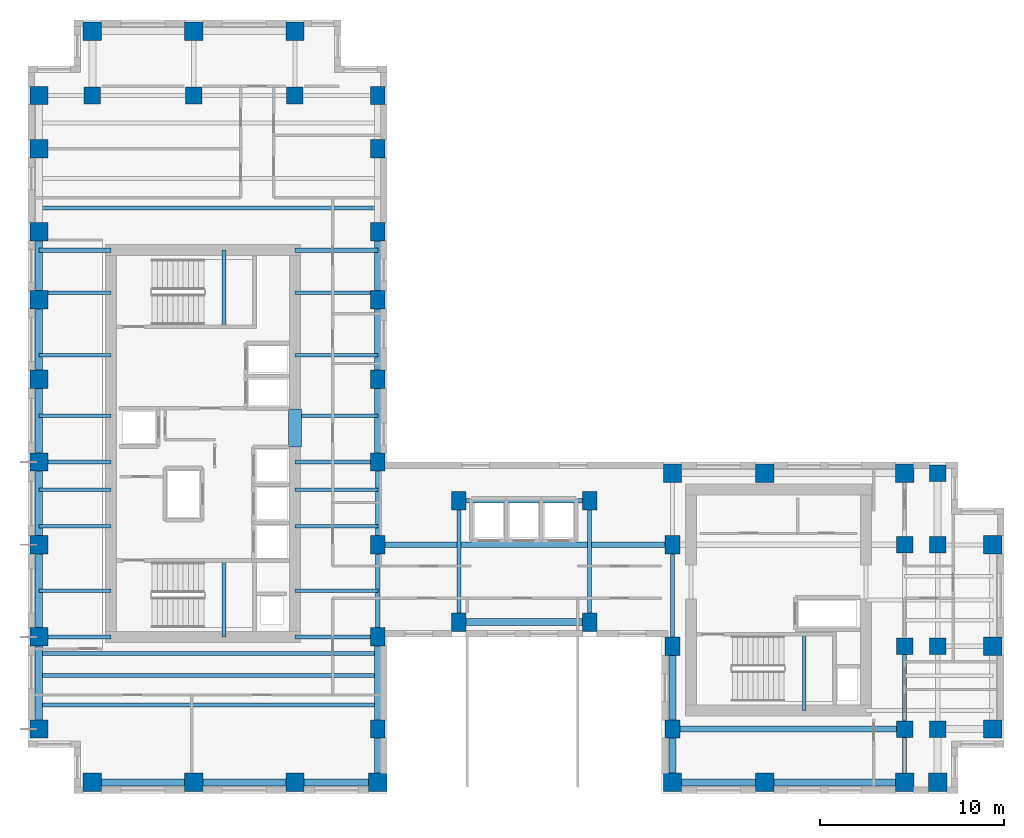
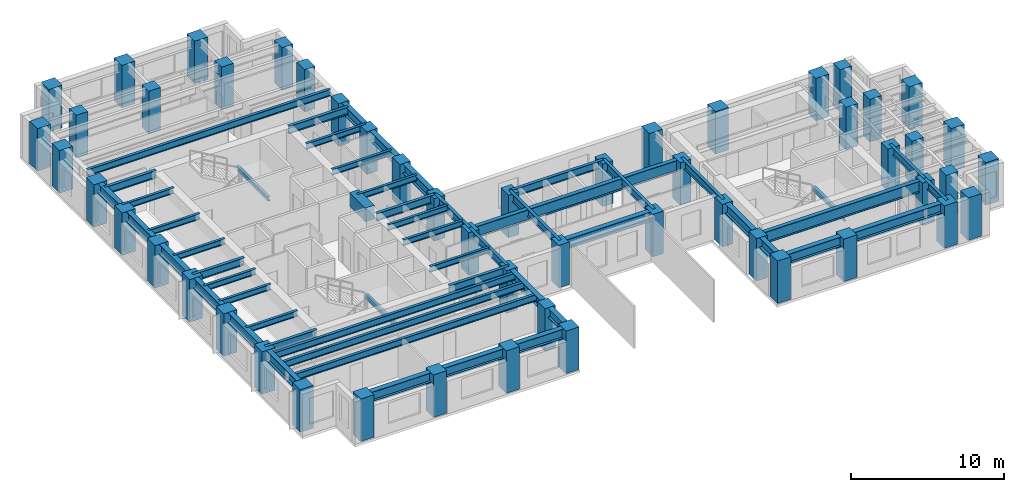
# One storey, part 1 of 11: 55 beams, 52 columns.
"""IFC4 building model written with IfcOpenShell, lengths in metres."""

import ifcopenshell
import ifcopenshell.guid

model = None  # the IFC model being written
_history = None  # IfcOwnerHistory: only IFC2X3 demands one
_inside = {}  # id of a spatial element -> (the spatial element, [elements in it])
_under = {}  # id of a project, library or spatial element -> (it, [spatial elements below it])
_declared = {}  # id of a project -> (the project, [libraries it declares])
_typed = {}  # id of a type object -> (the type object, [elements of that type])
_made_of = {}  # id of a material, layer set ... -> (it, [elements and type objects made of it])


def new_model(schema):
    """Start an empty IFC model of exactly this schema.

    Asked for "IFC4X3", IfcOpenShell would pick the latest addendum, in which some entities
    have other attributes; the version numbers below select the first issue.
    IFC2X3 requires an IfcOwnerHistory on every rooted entity: one is made here for all.
    """
    global model, _history
    if schema == "IFC4X3":
        model = ifcopenshell.file(schema_version=(4, 3, 0, 0))
    else:
        model = ifcopenshell.file(schema=schema)
    _inside.clear()
    _under.clear()
    _declared.clear()
    _typed.clear()
    _made_of.clear()
    _history = None
    if model.schema == "IFC2X3":
        org = make("IfcOrganization", Name="unknown")
        user = make(
            "IfcPersonAndOrganization",
            ThePerson=make("IfcPerson", FamilyName="unknown"),
            TheOrganization=org,
        )
        app = make(
            "IfcApplication",
            ApplicationDeveloper=org,
            Version="unknown",
            ApplicationFullName="unknown",
            ApplicationIdentifier="unknown",
        )
        _history = make(
            "IfcOwnerHistory",
            OwningUser=user,
            OwningApplication=app,
            ChangeAction="ADDED",
            CreationDate=0,
        )
    return model


def make(cls, **values):
    """One entity of the class cls with the attributes given. An attribute that is None is left unset."""
    return model.create_entity(
        cls, **{name: value for name, value in values.items() if value is not None}
    )


def rooted(cls, **values):
    """An entity with a GlobalId (a new one), such as an element, a storey or a relation."""
    return make(cls, GlobalId=ifcopenshell.guid.new(), OwnerHistory=_history, **values)


def si_unit(unit_type, name, prefix=None):
    """IfcSIUnit, for example si_unit("LENGTHUNIT", "METRE", prefix="MILLI")."""
    return make("IfcSIUnit", UnitType=unit_type, Prefix=prefix, Name=name)


def assignment(units):
    """IfcUnitAssignment: the units of a project."""
    return None if units is None else make("IfcUnitAssignment", Units=units)


def point(xyz):
    """IfcCartesianPoint."""
    return None if xyz is None else make("IfcCartesianPoint", Coordinates=xyz)


def direction(xyz):
    """IfcDirection."""
    return None if xyz is None else make("IfcDirection", DirectionRatios=xyz)


def frame(location, z_axis=None, x_axis=None):
    """IfcAxis2Placement3D, a coordinate frame: its origin and axes. An axis left out is left unset."""
    return make(
        "IfcAxis2Placement3D",
        Location=point(location),
        Axis=direction(z_axis),
        RefDirection=direction(x_axis),
    )


def frame_2d(location, x_axis=None):
    """IfcAxis2Placement2D, a coordinate frame in the plane: its origin and x axis."""
    return make(
        "IfcAxis2Placement2D", Location=point(location), RefDirection=direction(x_axis)
    )


def origin():
    """The frame at (0, 0, 0) with its axes left unset."""
    return frame((0.0, 0.0, 0.0))


def origin_2d():
    """The frame at (0, 0) in the plane with its x axis left unset."""
    return frame_2d((0.0, 0.0))


def place(relative_to, where):
    """IfcLocalPlacement: puts the frame where relative to a parent placement (None: the world)."""
    return make(
        "IfcLocalPlacement", PlacementRelTo=relative_to, RelativePlacement=where
    )


def context(
    kind, dimensions, precision=None, world=None, true_north=None, identifier=None
):
    """IfcGeometricRepresentationContext, for example the 3D "Model" context."""
    return make(
        "IfcGeometricRepresentationContext",
        ContextIdentifier=identifier,
        ContextType=kind,
        CoordinateSpaceDimension=dimensions,
        Precision=precision,
        WorldCoordinateSystem=world,
        TrueNorth=true_north,
    )


def subcontext(parent, identifier, kind, view, scale=None):
    """IfcGeometricRepresentationSubContext, for example "Body" below "Model"."""
    return make(
        "IfcGeometricRepresentationSubContext",
        ContextIdentifier=identifier,
        ContextType=kind,
        ParentContext=parent,
        TargetScale=scale,
        TargetView=view,
    )


def project(units=None, contexts=None):
    """IfcProject with its units and contexts."""
    return rooted(
        "IfcProject",
        Name="project",
        RepresentationContexts=contexts,
        UnitsInContext=assignment(units),
    )


def spatial(cls, under=None, at=None, **own):
    """A site, building, storey or space (cls), placed at a placement, below another one or the project."""
    s = rooted(cls, ObjectPlacement=at, **own)
    if under is not None:
        _under.setdefault(under.id(), (under, []))[1].append(s)
    return s


def profile(cls, at=None, kind="AREA", **sizes):
    """A parametric profile (cls). Its sizes go by their IFC names, for example OverallWidth=200.0."""
    return make(cls, ProfileType=kind, Position=at, **sizes)


def rectangle(**sizes):
    """IfcRectangleProfileDef."""
    return profile("IfcRectangleProfileDef", **sizes)


def i_section(**sizes):
    """IfcIShapeProfileDef."""
    return profile("IfcIShapeProfileDef", **sizes)


def extrude(swept, where, along, depth):
    """IfcExtrudedAreaSolid: the profile swept, set in the frame where, extruded along a direction by depth."""
    return make(
        "IfcExtrudedAreaSolid",
        SweptArea=swept,
        Position=where,
        ExtrudedDirection=direction(along),
        Depth=depth,
    )


def shape(context_of_items, identifier, shape_type, items):
    """IfcShapeRepresentation: the items that make up one representation, for example the "Body"."""
    return make(
        "IfcShapeRepresentation",
        ContextOfItems=context_of_items,
        RepresentationIdentifier=identifier,
        RepresentationType=shape_type,
        Items=items,
    )


def source(mapping_origin, context_of_items, identifier, shape_type, items):
    """IfcRepresentationMap: a shape defined once, which mapped items show again and again."""
    return make(
        "IfcRepresentationMap",
        MappingOrigin=mapping_origin,
        MappedRepresentation=shape(context_of_items, identifier, shape_type, items),
    )


def transform(
    local_origin,
    x_axis=None,
    y_axis=None,
    z_axis=None,
    scale=None,
    scale2=None,
    scale3=None,
    uniform=True,
):
    """IfcCartesianTransformationOperator3D, or its non-uniform kind. x_axis, y_axis, z_axis: its Axis1, 2, 3."""
    if uniform:
        return make(
            "IfcCartesianTransformationOperator3D",
            Axis1=direction(x_axis),
            Axis2=direction(y_axis),
            LocalOrigin=point(local_origin),
            Scale=scale,
            Axis3=direction(z_axis),
        )
    return make(
        "IfcCartesianTransformationOperator3DnonUniform",
        Axis1=direction(x_axis),
        Axis2=direction(y_axis),
        LocalOrigin=point(local_origin),
        Scale=scale,
        Axis3=direction(z_axis),
        Scale2=scale2,
        Scale3=scale3,
    )


def mapped(mapping_source, mapping_target):
    """IfcMappedItem: shows the shape of a source again, moved by a transform."""
    return make(
        "IfcMappedItem", MappingSource=mapping_source, MappingTarget=mapping_target
    )


def material(Name=None, Category=None):
    """IfcMaterial."""
    return make("IfcMaterial", Name=Name, Category=Category)


def material_profile(
    of_material, cross_section, Name=None, Category=None, Priority=None
):
    """IfcMaterialProfile: a cross section and its material."""
    return make(
        "IfcMaterialProfile",
        Name=Name,
        Material=of_material,
        Profile=cross_section,
        Priority=Priority,
        Category=Category,
    )


def profile_set(profiles, Name=None, composite=None):
    """IfcMaterialProfileSet."""
    return make(
        "IfcMaterialProfileSet",
        Name=Name,
        MaterialProfiles=profiles,
        CompositeProfile=composite,
    )


def made_of(thing, what):
    """Note that an element or type object is made of a material, layer set ...; save() writes the relation."""
    if what is not None:
        _made_of.setdefault(what.id(), (what, []))[1].append(thing)
    return thing


def type_object(cls, material=None, **own):
    """A type object (cls), such as IfcWallType, which elements share."""
    return made_of(rooted(cls, **own), material)


def element(
    cls,
    number,
    at=None,
    inside=None,
    cuts=None,
    type_object=None,
    material=None,
    context=None,
    identifier="Body",
    shape_type=None,
    held_by="IfcProductDefinitionShape",
    body=None,
    shapes=None,
    **own,
):
    """One element of the class cls, such as IfcWall. Its Tag is "e" and its number.

    at: its placement. inside: the storey or other place that contains it. cuts: it is an
    opening in that element (IfcRelVoidsElement). A single representation is given by context,
    identifier, shape_type and body (its items); several are given by shapes. held_by: the class
    of the entity that holds the representations. save() writes the other relations.
    """
    e = rooted(cls, Tag="e%d" % number, ObjectPlacement=at, **own)
    if body is not None:
        shapes = [shape(context, identifier, shape_type, body)]
    if shapes is not None:
        e.Representation = make(held_by, Representations=shapes)
    if inside is not None:
        _inside.setdefault(inside.id(), (inside, []))[1].append(e)
    if cuts is not None:
        rooted(
            "IfcRelVoidsElement", RelatingBuildingElement=cuts, RelatedOpeningElement=e
        )
    if type_object is not None:
        _typed.setdefault(type_object.id(), (type_object, []))[1].append(e)
    return made_of(e, material)


def aggregate(whole, parts):
    """IfcRelAggregates: a whole, such as a stair, and the parts it consists of."""
    return rooted("IfcRelAggregates", RelatingObject=whole, RelatedObjects=parts)


def save(model, path):
    """Write the relations noted so far, then the file.

    IfcRelAggregates (storeys below a building ...), IfcRelContainedInSpatialStructure (elements
    in a storey), IfcRelDefinesByType, IfcRelAssociatesMaterial and IfcRelDeclares: one each for
    every whole, place, type object, material and project.
    """
    for whole, parts in _under.values():
        aggregate(whole, parts)
    for where, things in _inside.values():
        rooted(
            "IfcRelContainedInSpatialStructure",
            RelatedElements=things,
            RelatingStructure=where,
        )
    for kind, things in _typed.values():
        rooted("IfcRelDefinesByType", RelatedObjects=things, RelatingType=kind)
    for what, things in _made_of.values():
        rooted("IfcRelAssociatesMaterial", RelatedObjects=things, RelatingMaterial=what)
    for by, libraries in _declared.values():
        rooted("IfcRelDeclares", RelatingContext=by, RelatedDefinitions=libraries)
    model.write(path)


model = new_model("IFC4")

# Units and contexts
model_context = context("Model", 3, precision=1e-05, world=origin(), true_north=direction((0.0, 1.0)))
body_context = subcontext(model_context, "Body", "Model", "MODEL_VIEW")
ifc_project = project(units=[si_unit("LENGTHUNIT", "METRE"), si_unit("AREAUNIT", "SQUARE_METRE"), si_unit("VOLUMEUNIT", "CUBIC_METRE"), si_unit("PLANEANGLEUNIT", "RADIAN"), si_unit("MASSUNIT", "GRAM", prefix="KILO")], contexts=[model_context])

# Site, building, storey
site_placement = place(None, origin())
site = spatial("IfcSite", under=ifc_project, at=site_placement, CompositionType="ELEMENT")
building_placement = place(site_placement, origin())
building = spatial("IfcBuilding", under=site, at=building_placement, Name="Kharzan Plaza Tower", CompositionType="ELEMENT")
storey_placement = place(building_placement, frame((0.0, 0.0, 186.300048828125)))
storey = spatial("IfcBuildingStorey", under=building, at=storey_placement, Name="L50", CompositionType="ELEMENT", Elevation=186.300048828125)

# Columns
ifc_material_1 = material(Name="Concrete C50/60", Category="concrete")
ifc_material_profile_1 = material_profile(ifc_material_1, rectangle(XDim=0.89990234375, YDim=0.89990234375, at=origin_2d()), Name="RC-IC900x900")
ifc_profile_set_1 = profile_set([ifc_material_profile_1], Name="Concrete C50/60")
column_type_1 = type_object("IfcColumnType", Name="COL-IC900", PredefinedType="COLUMN", material=ifc_profile_set_1)
shared_shape_1 = source(origin(), body_context, "Body", "SweptSolid", [
    extrude(rectangle(XDim=0.89990234375, YDim=0.89990234375, at=origin_2d()), origin(), (0.0, 0.0, 1.0), 3.39990234375),
])
for number, where, z_axis, x_axis, name in (
    (1, (47.60009765625, 13.5, 0.0), (0.0, 0.0, 1.0), (1.0, 0.0, 0.0), "L50 Structural Column TCBI-135"),
    (2, (47.60009765625, 3.5, 0.0), (0.0, 0.0, 1.0), (1.0, 0.0, 0.0), "L50 Structural Column TCBI-35"),
    (3, (47.60009765625, 8.0, 0.0), (0.0, 0.0, 1.0), (1.0, 0.0, 0.0), "L50 Structural Column TCBI-80"),
    (4, (49.39990234375, 13.5, 0.0), (0.0, 0.0, 1.0), (1.0, 0.0, 0.0), "L50 Structural Column TCE-494-135"),
    (5, (49.39990234375, 17.39990234375, 0.0), (0.0, 0.0, 1.0), (1.0, 0.0, 0.0), "L50 Structural Column TCE-494-174"),
    (6, (49.39990234375, 3.5, 0.0), (0.0, 0.0, 1.0), (1.0, 0.0, 0.0), "L50 Structural Column TCE-494-35"),
    (7, (49.39990234375, 8.0, 0.0), (0.0, 0.0, 1.0), (1.0, 0.0, 0.0), "L50 Structural Column TCE-494-80"),
    (8, (14.5, 37.89990234375, 0.0), (0.0, 0.0, 1.0), (1.0, 0.0, 0.0), "L50 Structural Column TCN-145-379"),
    (9, (3.5, 37.89990234375, 0.0), (0.0, 0.0, 1.0), (1.0, 0.0, 0.0), "L50 Structural Column TCN-35-379"),
    (10, (9.0, 37.89990234375, 0.0), (0.0, 0.0, 1.0), (1.0, 0.0, 0.0), "L50 Structural Column TCN-90-379"),
):
    element("IfcColumn", number, at=place(storey_placement, frame(where, z_axis=z_axis, x_axis=x_axis)), inside=storey, type_object=column_type_1, Name=name, PredefinedType="COLUMN", context=body_context, shape_type="MappedRepresentation", body=[
        mapped(shared_shape_1, transform((0.0, 0.0, 0.0), x_axis=(1.0, 0.0, 0.0), y_axis=(0.0, 1.0, 0.0), z_axis=(0.0, 0.0, 1.0))),
    ])
ifc_material_profile_2 = material_profile(ifc_material_1, rectangle(XDim=0.800048828125, YDim=1.0, at=origin_2d()), Name="RC-SC1000x800")
ifc_profile_set_2 = profile_set([ifc_material_profile_2], Name="Concrete C50/60")
column_type_2 = type_object("IfcColumnType", Name="COL-SC1000", PredefinedType="COLUMN", material=ifc_profile_set_2)
shared_shape_2 = source(origin(), body_context, "Body", "SweptSolid", [
    extrude(rectangle(XDim=0.800048828125, YDim=1.0, at=origin_2d()), origin(), (0.0, 0.0, 1.0), 3.39990234375),
])
for number, where, z_axis, x_axis, name in (
    (11, (19.0, 13.5, 0.0), (0.0, 0.0, 1.0), (1.0, 0.0, 0.0), "L50 Structural Column TCA-135"),
    (12, (19.0, 18.0, 0.0), (0.0, 0.0, 1.0), (1.0, 0.0, 0.0), "L50 Structural Column TCA-180"),
    (13, (19.0, 22.5, 0.0), (0.0, 0.0, 1.0), (1.0, 0.0, 0.0), "L50 Structural Column TCA-225"),
    (14, (19.0, 26.800048828125, 0.0), (0.0, 0.0, 1.0), (1.0, 0.0, 0.0), "L50 Structural Column TCA-268"),
    (15, (19.0, 30.5, 0.0), (0.0, 0.0, 1.0), (1.0, 0.0, 0.0), "L50 Structural Column TCA-305"),
    (16, (19.0, 3.5, 0.0), (0.0, 0.0, 1.0), (1.0, 0.0, 0.0), "L50 Structural Column TCA-35"),
    (17, (19.0, 35.0, 0.0), (0.0, 0.0, 1.0), (1.0, 0.0, 0.0), "L50 Structural Column TCA-350"),
    (18, (19.0, 37.89990234375, 0.0), (0.0, 0.0, 1.0), (1.0, 0.0, 0.0), "L50 Structural Column TCA-379"),
    (19, (19.0, 8.5, 0.0), (0.0, 0.0, 1.0), (1.0, 0.0, 0.0), "L50 Structural Column TCA-85"),
    (20, (35.0, 13.5, 0.0), (0.0, 0.0, 1.0), (1.0, 0.0, 0.0), "L50 Structural Column TCBS-135"),
    (21, (35.0, 3.5, 0.0), (0.0, 0.0, 1.0), (1.0, 0.0, 0.0), "L50 Structural Column TCBS-35"),
    (22, (35.0, 8.0, 0.0), (0.0, 0.0, 1.0), (1.0, 0.0, 0.0), "L50 Structural Column TCBS-80"),
    (23, (23.39990234375, 15.89990234375, 0.0), (0.0, 0.0, 1.0), (1.0, 0.0, 0.0), "L50 Structural Column TCSP-234-159"),
    (24, (23.39990234375, 9.300048828125, 0.0), (0.0, 0.0, 1.0), (1.0, 0.0, 0.0), "L50 Structural Column TCSP-234-93"),
    (25, (30.5, 15.89990234375, 0.0), (0.0, 0.0, 1.0), (1.0, 0.0, 0.0), "L50 Structural Column TCSP-305-159"),
    (26, (30.5, 9.300048828125, 0.0), (0.0, 0.0, 1.0), (1.0, 0.0, 0.0), "L50 Structural Column TCSP-305-93"),
):
    element("IfcColumn", number, at=place(storey_placement, frame(where, z_axis=z_axis, x_axis=x_axis)), inside=storey, type_object=column_type_2, Name=name, PredefinedType="COLUMN", context=body_context, shape_type="MappedRepresentation", body=[
        mapped(shared_shape_2, transform((0.0, 0.0, 0.0), x_axis=(1.0, 0.0, 0.0), y_axis=(0.0, 1.0, 0.0), z_axis=(0.0, 0.0, 1.0))),
    ])
ifc_material_profile_3 = material_profile(ifc_material_1, rectangle(XDim=1.0, YDim=1.0, at=origin_2d()), Name="RC-TC1000x1000")
ifc_profile_set_3 = profile_set([ifc_material_profile_3], Name="Concrete C50/60")
column_type_3 = type_object("IfcColumnType", Name="COL-TC1000", PredefinedType="COLUMN", material=ifc_profile_set_3)
shared_shape_3 = source(origin(), body_context, "Body", "SweptSolid", [
    extrude(rectangle(XDim=1.0, YDim=1.0, at=origin_2d()), origin(), (0.0, 0.0, 1.0), 3.39990234375),
])
for number, where, z_axis, x_axis, name in (
    (27, (35.0, 17.39990234375, 0.0), (0.0, 0.0, 1.0), (1.0, 0.0, 0.0), "L50 Structural Column TCBN-350-174"),
    (28, (40.0, 17.39990234375, 0.0), (0.0, 0.0, 1.0), (1.0, 0.0, 0.0), "L50 Structural Column TCBN-400-174"),
    (29, (47.60009765625, 17.39990234375, 0.0), (0.0, 0.0, 1.0), (1.0, 0.0, 0.0), "L50 Structural Column TCBN-476-174"),
    (30, (52.39990234375, 13.5, 0.0), (0.0, 0.0, 1.0), (1.0, 0.0, 0.0), "L50 Structural Column TCE-524-135"),
    (31, (52.39990234375, 3.5, 0.0), (0.0, 0.0, 1.0), (1.0, 0.0, 0.0), "L50 Structural Column TCE-524-35"),
    (32, (52.39990234375, 8.0, 0.0), (0.0, 0.0, 1.0), (1.0, 0.0, 0.0), "L50 Structural Column TCE-524-80"),
    (33, (14.5, 41.39990234375, 0.0), (0.0, 0.0, 1.0), (1.0, 0.0, 0.0), "L50 Structural Column TCN-145-414"),
    (34, (3.5, 41.39990234375, 0.0), (0.0, 0.0, 1.0), (1.0, 0.0, 0.0), "L50 Structural Column TCN-35-414"),
    (35, (9.0, 41.39990234375, 0.0), (0.0, 0.0, 1.0), (1.0, 0.0, 0.0), "L50 Structural Column TCN-90-414"),
    (36, (14.5, 0.60009765625, 0.0), (0.0, 0.0, 1.0), (1.0, 0.0, 0.0), "L50 Structural Column TCS-145"),
    (37, (19.0, 0.60009765625, 0.0), (0.0, 0.0, 1.0), (1.0, 0.0, 0.0), "L50 Structural Column TCS-190"),
    (38, (3.5, 0.60009765625, 0.0), (0.0, 0.0, 1.0), (1.0, 0.0, 0.0), "L50 Structural Column TCS-35"),
    (39, (35.0, 0.60009765625, 0.0), (0.0, 0.0, 1.0), (1.0, 0.0, 0.0), "L50 Structural Column TCS-350"),
    (40, (40.0, 0.60009765625, 0.0), (0.0, 0.0, 1.0), (1.0, 0.0, 0.0), "L50 Structural Column TCS-400"),
    (41, (47.60009765625, 0.60009765625, 0.0), (0.0, 0.0, 1.0), (1.0, 0.0, 0.0), "L50 Structural Column TCS-476"),
    (42, (49.39990234375, 0.60009765625, 0.0), (0.0, 0.0, 1.0), (1.0, 0.0, 0.0), "L50 Structural Column TCS-494"),
    (43, (9.0, 0.60009765625, 0.0), (0.0, 0.0, 1.0), (1.0, 0.0, 0.0), "L50 Structural Column TCS-90"),
    (44, (0.60009765625, 13.5, 0.0), (0.0, 0.0, 1.0), (1.0, 0.0, 0.0), "L50 Structural Column TCW-135"),
    (45, (0.60009765625, 18.0, 0.0), (0.0, 0.0, 1.0), (1.0, 0.0, 0.0), "L50 Structural Column TCW-180"),
    (46, (0.60009765625, 22.5, 0.0), (0.0, 0.0, 1.0), (1.0, 0.0, 0.0), "L50 Structural Column TCW-225"),
    (47, (0.60009765625, 26.800048828125, 0.0), (0.0, 0.0, 1.0), (1.0, 0.0, 0.0), "L50 Structural Column TCW-268"),
    (48, (0.60009765625, 30.5, 0.0), (0.0, 0.0, 1.0), (1.0, 0.0, 0.0), "L50 Structural Column TCW-305"),
    (49, (0.60009765625, 3.5, 0.0), (0.0, 0.0, 1.0), (1.0, 0.0, 0.0), "L50 Structural Column TCW-35"),
    (50, (0.60009765625, 35.0, 0.0), (0.0, 0.0, 1.0), (1.0, 0.0, 0.0), "L50 Structural Column TCW-350"),
    (51, (0.60009765625, 37.89990234375, 0.0), (0.0, 0.0, 1.0), (1.0, 0.0, 0.0), "L50 Structural Column TCW-379"),
    (52, (0.60009765625, 8.5, 0.0), (0.0, 0.0, 1.0), (1.0, 0.0, 0.0), "L50 Structural Column TCW-85"),
):
    element("IfcColumn", number, at=place(storey_placement, frame(where, z_axis=z_axis, x_axis=x_axis)), inside=storey, type_object=column_type_3, Name=name, PredefinedType="COLUMN", context=body_context, shape_type="MappedRepresentation", body=[
        mapped(shared_shape_3, transform((0.0, 0.0, 0.0), x_axis=(1.0, 0.0, 0.0), y_axis=(0.0, 1.0, 0.0), z_axis=(0.0, 0.0, 1.0))),
    ])

# Beams
ifc_material_2 = material(Name="Concrete C60/75", Category="concrete")
ifc_material_profile_4 = material_profile(ifc_material_2, rectangle(XDim=0.699951171875, YDim=1.10009765625, at=origin_2d()), Name="RC-CB1100x700")
ifc_profile_set_4 = profile_set([ifc_material_profile_4], Name="Concrete C60/75")
beam_type_1 = type_object("IfcBeamType", Name="BM-RCCB1100", PredefinedType="LINTEL", material=ifc_profile_set_4)
shared_shape_4 = source(origin(), body_context, "Body", "SweptSolid", [
    extrude(rectangle(XDim=0.699951171875, YDim=1.10009765625, at=origin_2d()), origin(), (0.0, 0.0, 1.0), 2.059814453125),
])
beam_1_placement = place(storey_placement, frame((14.5, 18.820068359375, 2.849853515625), z_axis=(0.0, 1.0, 0.0), x_axis=(-1.0, 0.0, 0.0)))
element("IfcBeam", 53, at=beam_1_placement, inside=storey, type_object=beam_type_1, Name="L50 CORE-A RC coupling beam CB1", PredefinedType="LINTEL", context=body_context, shape_type="MappedRepresentation", body=[
    mapped(shared_shape_4, transform((0.0, 0.0, 0.0), x_axis=(1.0, 0.0, 0.0), y_axis=(0.0, 1.0, 0.0), z_axis=(0.0, 0.0, 1.0))),
])
ifc_material_3 = material(Name="Steel S355", Category="steel")
ifc_material_profile_5 = material_profile(ifc_material_3, i_section(OverallWidth=0.205078125, OverallDepth=0.35400390625, WebThickness=0.009521484375, FlangeThickness=0.016845703125, at=origin_2d()), Name="W360x79")
ifc_profile_set_5 = profile_set([ifc_material_profile_5], Name="Steel S355")
beam_type_2 = type_object("IfcBeamType", Name="BM-LNT360", PredefinedType="LINTEL", material=ifc_profile_set_5)
shared_shape_5 = source(origin(), body_context, "Body", "SweptSolid", [
    extrude(i_section(OverallWidth=0.205078125, OverallDepth=0.35400390625, WebThickness=0.009521484375, FlangeThickness=0.016845703125, at=origin_2d()), origin(), (0.0, 0.0, 1.0), 4.155029296875),
])
for number, where, z_axis, x_axis, name in (
    (54, (10.64990234375, 8.5, 1.4228515625), (0.0, 1.0, 0.0), (-1.0, 0.0, 0.0), "L50 Stair ST-1 Half-Landing Beam"),
    (55, (10.64990234375, 25.344970703125, 1.4228515625), (0.0, 1.0, 0.0), (-1.0, 0.0, 0.0), "L50 Stair ST-2 Half-Landing Beam"),
    (56, (42.14990234375, 4.5, 1.4228515625), (0.0, 1.0, 0.0), (-1.0, 0.0, 0.0), "L50 Stair ST-3 Half-Landing Beam"),
):
    element("IfcBeam", number, at=place(storey_placement, frame(where, z_axis=z_axis, x_axis=x_axis)), inside=storey, type_object=beam_type_2, Name=name, PredefinedType="LINTEL", context=body_context, shape_type="MappedRepresentation", body=[
        mapped(shared_shape_5, transform((0.0, 0.0, 0.0), x_axis=(1.0, 0.0, 0.0), y_axis=(0.0, 1.0, 0.0), z_axis=(0.0, 0.0, 1.0))),
    ])
ifc_material_profile_6 = material_profile(ifc_material_3, i_section(OverallWidth=0.304931640625, OverallDepth=0.9189453125, WebThickness=0.017333984375, FlangeThickness=0.02783203125, at=origin_2d()), Name="W920x253")
ifc_profile_set_6 = profile_set([ifc_material_profile_6], Name="Steel S355")
beam_type_3 = type_object("IfcBeamType", Name="BM-FG920B", PredefinedType="BEAM", material=ifc_profile_set_6)
shared_shape_6 = source(origin(), body_context, "Body", "SweptSolid", [
    extrude(i_section(OverallWidth=0.304931640625, OverallDepth=0.9189453125, WebThickness=0.017333984375, FlangeThickness=0.02783203125, at=origin_2d()), origin(), (0.0, 0.0, 1.0), 12.60009765625),
])
beam_2_placement = place(storey_placement, frame((35.0, 3.5, 2.9404296875), z_axis=(1.0, 0.0, 0.0), x_axis=(0.0, 1.0, 0.0)))
element("IfcBeam", 57, at=beam_2_placement, inside=storey, type_object=beam_type_3, Name="L50 Primary Floor Girder", PredefinedType="BEAM", context=body_context, shape_type="MappedRepresentation", body=[
    mapped(shared_shape_6, transform((0.0, 0.0, 0.0), x_axis=(1.0, 0.0, 0.0), y_axis=(0.0, 1.0, 0.0), z_axis=(0.0, 0.0, 1.0))),
])
shared_shape_7 = source(origin(), body_context, "Body", "SweptSolid", [
    extrude(i_section(OverallWidth=0.304931640625, OverallDepth=0.9189453125, WebThickness=0.017333984375, FlangeThickness=0.02783203125, at=origin_2d()), origin(), (0.0, 0.0, 1.0), 16.0),
])
beam_3_placement = place(storey_placement, frame((19.0, 13.5, 2.9404296875), z_axis=(1.0, 0.0, 0.0), x_axis=(0.0, 1.0, 0.0)))
element("IfcBeam", 58, at=beam_3_placement, inside=storey, type_object=beam_type_3, Name="L50 Primary Floor Girder", PredefinedType="BEAM", context=body_context, shape_type="MappedRepresentation", body=[
    mapped(shared_shape_7, transform((0.0, 0.0, 0.0), x_axis=(1.0, 0.0, 0.0), y_axis=(0.0, 1.0, 0.0), z_axis=(0.0, 0.0, 1.0))),
])
ifc_material_profile_7 = material_profile(ifc_material_3, i_section(OverallWidth=0.2099609375, OverallDepth=0.537109375, WebThickness=0.010986328125, FlangeThickness=0.017333984375, at=origin_2d()), Name="W530x101")
ifc_profile_set_7 = profile_set([ifc_material_profile_7], Name="Steel S355")
beam_type_4 = type_object("IfcBeamType", Name="BM-JST530B", PredefinedType="JOIST", material=ifc_profile_set_7)
shared_shape_8 = source(origin(), body_context, "Body", "SweptSolid", [
    extrude(i_section(OverallWidth=0.2099609375, OverallDepth=0.537109375, WebThickness=0.010986328125, FlangeThickness=0.017333984375, at=origin_2d()), origin(), (0.0, 0.0, 1.0), 18.39990234375),
])
for number, where, z_axis, x_axis, name in (
    (59, (0.60009765625, 4.800048828125, 3.13134765625), (1.0, 0.0, 0.0), (0.0, 1.0, 0.0), "L50 Wing A Composite Joist 01"),
    (60, (0.60009765625, 6.39990234375, 3.13134765625), (1.0, 0.0, 0.0), (0.0, 1.0, 0.0), "L50 Wing A Composite Joist 02"),
    (61, (0.60009765625, 7.60009765625, 3.13134765625), (1.0, 0.0, 0.0), (0.0, 1.0, 0.0), "L50 Wing A Composite Joist 03"),
    (62, (0.60009765625, 31.800048828125, 3.13134765625), (1.0, 0.0, 0.0), (0.0, 1.0, 0.0), "L50 Wing A Composite Joist 04"),
):
    element("IfcBeam", number, at=place(storey_placement, frame(where, z_axis=z_axis, x_axis=x_axis)), inside=storey, type_object=beam_type_4, Name=name, PredefinedType="JOIST", context=body_context, shape_type="MappedRepresentation", body=[
        mapped(shared_shape_8, transform((0.0, 0.0, 0.0), x_axis=(1.0, 0.0, 0.0), y_axis=(0.0, 1.0, 0.0), z_axis=(0.0, 0.0, 1.0))),
    ])
ifc_material_profile_8 = material_profile(ifc_material_3, i_section(OverallWidth=0.194091796875, OverallDepth=0.468994140625, WebThickness=0.011474609375, FlangeThickness=0.0205078125, at=origin_2d()), Name="W460x106")
ifc_profile_set_8 = profile_set([ifc_material_profile_8], Name="Steel S355")
beam_type_5 = type_object("IfcBeamType", Name="BM-JST460", PredefinedType="JOIST", material=ifc_profile_set_8)
shared_shape_9 = source(origin(), body_context, "Body", "SweptSolid", [
    extrude(i_section(OverallWidth=0.194091796875, OverallDepth=0.468994140625, WebThickness=0.011474609375, FlangeThickness=0.0205078125, at=origin_2d()), origin(), (0.0, 0.0, 1.0), 4.5),
])
for number, where, z_axis, x_axis, name in (
    (63, (14.5, 11.0, 3.16552734375), (1.0, 0.0, 0.0), (0.0, 1.0, 0.0), "L50 Wing A East Infill Joist 1"),
    (64, (14.5, 14.5, 3.16552734375), (1.0, 0.0, 0.0), (0.0, 1.0, 0.0), "L50 Wing A East Infill Joist 2"),
    (65, (14.5, 16.5, 3.16552734375), (1.0, 0.0, 0.0), (0.0, 1.0, 0.0), "L50 Wing A East Infill Joist 3"),
    (66, (14.5, 20.5, 3.16552734375), (1.0, 0.0, 0.0), (0.0, 1.0, 0.0), "L50 Wing A East Infill Joist 4"),
    (67, (14.5, 23.800048828125, 3.16552734375), (1.0, 0.0, 0.0), (0.0, 1.0, 0.0), "L50 Wing A East Infill Joist 5"),
    (68, (14.5, 27.199951171875, 3.16552734375), (1.0, 0.0, 0.0), (0.0, 1.0, 0.0), "L50 Wing A East Infill Joist 6"),
):
    element("IfcBeam", number, at=place(storey_placement, frame(where, z_axis=z_axis, x_axis=x_axis)), inside=storey, type_object=beam_type_5, Name=name, PredefinedType="JOIST", context=body_context, shape_type="MappedRepresentation", body=[
        mapped(shared_shape_9, transform((0.0, 0.0, 0.0), x_axis=(1.0, 0.0, 0.0), y_axis=(0.0, 1.0, 0.0), z_axis=(0.0, 0.0, 1.0))),
    ])
shared_shape_10 = source(origin(), body_context, "Body", "SweptSolid", [
    extrude(i_section(OverallWidth=0.194091796875, OverallDepth=0.468994140625, WebThickness=0.011474609375, FlangeThickness=0.0205078125, at=origin_2d()), origin(), (0.0, 0.0, 1.0), 3.89990234375),
])
for number, where, z_axis, x_axis, name in (
    (69, (0.60009765625, 11.0, 3.16552734375), (1.0, 0.0, 0.0), (0.0, 1.0, 0.0), "L50 Wing A West Infill Joist 1"),
    (70, (0.60009765625, 14.5, 3.16552734375), (1.0, 0.0, 0.0), (0.0, 1.0, 0.0), "L50 Wing A West Infill Joist 2"),
    (71, (0.60009765625, 16.5, 3.16552734375), (1.0, 0.0, 0.0), (0.0, 1.0, 0.0), "L50 Wing A West Infill Joist 3"),
    (72, (0.60009765625, 20.5, 3.16552734375), (1.0, 0.0, 0.0), (0.0, 1.0, 0.0), "L50 Wing A West Infill Joist 4"),
    (73, (0.60009765625, 23.800048828125, 3.16552734375), (1.0, 0.0, 0.0), (0.0, 1.0, 0.0), "L50 Wing A West Infill Joist 5"),
    (74, (0.60009765625, 27.199951171875, 3.16552734375), (1.0, 0.0, 0.0), (0.0, 1.0, 0.0), "L50 Wing A West Infill Joist 6"),
):
    element("IfcBeam", number, at=place(storey_placement, frame(where, z_axis=z_axis, x_axis=x_axis)), inside=storey, type_object=beam_type_5, Name=name, PredefinedType="JOIST", context=body_context, shape_type="MappedRepresentation", body=[
        mapped(shared_shape_10, transform((0.0, 0.0, 0.0), x_axis=(1.0, 0.0, 0.0), y_axis=(0.0, 1.0, 0.0), z_axis=(0.0, 0.0, 1.0))),
    ])
ifc_material_profile_9 = material_profile(ifc_material_3, i_section(OverallWidth=0.22900390625, OverallDepth=0.612060546875, WebThickness=0.011962890625, FlangeThickness=0.01953125, at=origin_2d()), Name="W610x125")
ifc_profile_set_9 = profile_set([ifc_material_profile_9], Name="Steel S355")
beam_type_6 = type_object("IfcBeamType", Name="BM-FG610B", PredefinedType="BEAM", material=ifc_profile_set_9)
shared_shape_11 = source(origin(), body_context, "Body", "SweptSolid", [
    extrude(i_section(OverallWidth=0.22900390625, OverallDepth=0.612060546875, WebThickness=0.011962890625, FlangeThickness=0.01953125, at=origin_2d()), origin(), (0.0, 0.0, 1.0), 4.5),
])
for number, where, z_axis, x_axis, name in (
    (75, (14.5, 8.5, 3.093994140625), (1.0, 0.0, 0.0), (0.0, 1.0, 0.0), "L50 Core-A East Floor Girder 1"),
    (76, (14.5, 18.0, 3.093994140625), (1.0, 0.0, 0.0), (0.0, 1.0, 0.0), "L50 Core-A East Floor Girder 2"),
    (77, (14.5, 29.5, 3.093994140625), (1.0, 0.0, 0.0), (0.0, 1.0, 0.0), "L50 Core-A East Floor Girder 3"),
    (78, (19.0, 13.5, 3.093994140625), (0.0, 1.0, 0.0), (-1.0, 0.0, 0.0), "L50 Interior Frame Girder"),
    (79, (47.60009765625, 3.5, 3.093994140625), (0.0, 1.0, 0.0), (-1.0, 0.0, 0.0), "L50 Interior Frame Girder"),
):
    element("IfcBeam", number, at=place(storey_placement, frame(where, z_axis=z_axis, x_axis=x_axis)), inside=storey, type_object=beam_type_6, Name=name, PredefinedType="BEAM", context=body_context, shape_type="MappedRepresentation", body=[
        mapped(shared_shape_11, transform((0.0, 0.0, 0.0), x_axis=(1.0, 0.0, 0.0), y_axis=(0.0, 1.0, 0.0), z_axis=(0.0, 0.0, 1.0))),
    ])
shared_shape_12 = source(origin(), body_context, "Body", "SweptSolid", [
    extrude(i_section(OverallWidth=0.22900390625, OverallDepth=0.612060546875, WebThickness=0.011962890625, FlangeThickness=0.01953125, at=origin_2d()), origin(), (0.0, 0.0, 1.0), 3.89990234375),
])
for number, where, z_axis, x_axis, name in (
    (80, (0.60009765625, 8.5, 3.093994140625), (1.0, 0.0, 0.0), (0.0, 1.0, 0.0), "L50 Core-A West Floor Girder 1"),
    (81, (0.60009765625, 18.0, 3.093994140625), (1.0, 0.0, 0.0), (0.0, 1.0, 0.0), "L50 Core-A West Floor Girder 2"),
    (82, (0.60009765625, 29.5, 3.093994140625), (1.0, 0.0, 0.0), (0.0, 1.0, 0.0), "L50 Core-A West Floor Girder 3"),
):
    element("IfcBeam", number, at=place(storey_placement, frame(where, z_axis=z_axis, x_axis=x_axis)), inside=storey, type_object=beam_type_6, Name=name, PredefinedType="BEAM", context=body_context, shape_type="MappedRepresentation", body=[
        mapped(shared_shape_12, transform((0.0, 0.0, 0.0), x_axis=(1.0, 0.0, 0.0), y_axis=(0.0, 1.0, 0.0), z_axis=(0.0, 0.0, 1.0))),
    ])
shared_shape_13 = source(origin(), body_context, "Body", "SweptSolid", [
    extrude(i_section(OverallWidth=0.22900390625, OverallDepth=0.612060546875, WebThickness=0.011962890625, FlangeThickness=0.01953125, at=origin_2d()), origin(), (0.0, 0.0, 1.0), 5.0),
])
beam_4_placement = place(storey_placement, frame((19.0, 8.5, 3.093994140625), z_axis=(0.0, 1.0, 0.0), x_axis=(-1.0, 0.0, 0.0)))
element("IfcBeam", 83, at=beam_4_placement, inside=storey, type_object=beam_type_6, Name="L50 Interior Frame Girder", PredefinedType="BEAM", context=body_context, shape_type="MappedRepresentation", body=[
    mapped(shared_shape_13, transform((0.0, 0.0, 0.0), x_axis=(1.0, 0.0, 0.0), y_axis=(0.0, 1.0, 0.0), z_axis=(0.0, 0.0, 1.0))),
])
shared_shape_14 = source(origin(), body_context, "Body", "SweptSolid", [
    extrude(i_section(OverallWidth=0.22900390625, OverallDepth=0.612060546875, WebThickness=0.011962890625, FlangeThickness=0.01953125, at=origin_2d()), origin(), (0.0, 0.0, 1.0), 6.599853515625),
])
for number, where, z_axis, x_axis, name in (
    (84, (23.39990234375, 9.300048828125, 3.093994140625), (0.0, 1.0, 0.0), (-1.0, 0.0, 0.0), "L50 Interior Frame Girder"),
    (85, (30.5, 9.300048828125, 3.093994140625), (0.0, 1.0, 0.0), (-1.0, 0.0, 0.0), "L50 Interior Frame Girder"),
):
    element("IfcBeam", number, at=place(storey_placement, frame(where, z_axis=z_axis, x_axis=x_axis)), inside=storey, type_object=beam_type_6, Name=name, PredefinedType="BEAM", context=body_context, shape_type="MappedRepresentation", body=[
        mapped(shared_shape_14, transform((0.0, 0.0, 0.0), x_axis=(1.0, 0.0, 0.0), y_axis=(0.0, 1.0, 0.0), z_axis=(0.0, 0.0, 1.0))),
    ])
shared_shape_15 = source(origin(), body_context, "Body", "SweptSolid", [
    extrude(i_section(OverallWidth=0.22900390625, OverallDepth=0.612060546875, WebThickness=0.011962890625, FlangeThickness=0.01953125, at=origin_2d()), origin(), (0.0, 0.0, 1.0), 5.5),
])
beam_5_placement = place(storey_placement, frame((35.0, 8.0, 3.093994140625), z_axis=(0.0, 1.0, 0.0), x_axis=(-1.0, 0.0, 0.0)))
element("IfcBeam", 86, at=beam_5_placement, inside=storey, type_object=beam_type_6, Name="L50 Interior Frame Girder", PredefinedType="BEAM", context=body_context, shape_type="MappedRepresentation", body=[
    mapped(shared_shape_15, transform((0.0, 0.0, 0.0), x_axis=(1.0, 0.0, 0.0), y_axis=(0.0, 1.0, 0.0), z_axis=(0.0, 0.0, 1.0))),
])
shared_shape_16 = source(origin(), body_context, "Body", "SweptSolid", [
    extrude(i_section(OverallWidth=0.22900390625, OverallDepth=0.612060546875, WebThickness=0.011962890625, FlangeThickness=0.01953125, at=origin_2d()), origin(), (0.0, 0.0, 1.0), 2.89990234375),
])
beam_6_placement = place(storey_placement, frame((47.60009765625, 0.60009765625, 3.093994140625), z_axis=(0.0, 1.0, 0.0), x_axis=(-1.0, 0.0, 0.0)))
element("IfcBeam", 87, at=beam_6_placement, inside=storey, type_object=beam_type_6, Name="L50 Interior Frame Girder", PredefinedType="BEAM", context=body_context, shape_type="MappedRepresentation", body=[
    mapped(shared_shape_16, transform((0.0, 0.0, 0.0), x_axis=(1.0, 0.0, 0.0), y_axis=(0.0, 1.0, 0.0), z_axis=(0.0, 0.0, 1.0))),
])
shared_shape_17 = source(origin(), body_context, "Body", "SweptSolid", [
    extrude(i_section(OverallWidth=0.22900390625, OverallDepth=0.612060546875, WebThickness=0.011962890625, FlangeThickness=0.01953125, at=origin_2d()), origin(), (0.0, 0.0, 1.0), 7.10009765625),
])
beam_7_placement = place(storey_placement, frame((23.39990234375, 15.89990234375, 3.093994140625), z_axis=(1.0, 0.0, 0.0), x_axis=(0.0, 1.0, 0.0)))
element("IfcBeam", 88, at=beam_7_placement, inside=storey, type_object=beam_type_6, Name="L50 Primary Floor Girder", PredefinedType="BEAM", context=body_context, shape_type="MappedRepresentation", body=[
    mapped(shared_shape_17, transform((0.0, 0.0, 0.0), x_axis=(1.0, 0.0, 0.0), y_axis=(0.0, 1.0, 0.0), z_axis=(0.0, 0.0, 1.0))),
])
ifc_material_profile_10 = material_profile(ifc_material_3, i_section(OverallWidth=0.381103515625, OverallDepth=0.77294921875, WebThickness=0.0166015625, FlangeThickness=0.027587890625, at=origin_2d()), Name="W760x257")
ifc_profile_set_10 = profile_set([ifc_material_profile_10], Name="Steel S355")
beam_type_7 = type_object("IfcBeamType", Name="BM-SP760A", PredefinedType="SPANDREL", material=ifc_profile_set_10)
shared_shape_18 = source(origin(), body_context, "Body", "SweptSolid", [
    extrude(i_section(OverallWidth=0.381103515625, OverallDepth=0.77294921875, WebThickness=0.0166015625, FlangeThickness=0.027587890625, at=origin_2d()), origin(), (0.0, 0.0, 1.0), 5.0),
])
for number, where, z_axis, x_axis, name in (
    (89, (0.60009765625, 3.5, 3.013427734375), (0.0, 1.0, 0.0), (-1.0, 0.0, 0.0), "L50 Perimeter Tube Spandrel"),
    (90, (0.60009765625, 8.5, 3.013427734375), (0.0, 1.0, 0.0), (-1.0, 0.0, 0.0), "L50 Perimeter Tube Spandrel"),
    (91, (19.0, 3.5, 3.013427734375), (0.0, 1.0, 0.0), (-1.0, 0.0, 0.0), "L50 Perimeter Tube Spandrel"),
    (92, (35.0, 0.60009765625, 3.013427734375), (1.0, 0.0, 0.0), (0.0, 1.0, 0.0), "L50 Perimeter Tube Spandrel"),
):
    element("IfcBeam", number, at=place(storey_placement, frame(where, z_axis=z_axis, x_axis=x_axis)), inside=storey, type_object=beam_type_7, Name=name, PredefinedType="SPANDREL", context=body_context, shape_type="MappedRepresentation", body=[
        mapped(shared_shape_18, transform((0.0, 0.0, 0.0), x_axis=(1.0, 0.0, 0.0), y_axis=(0.0, 1.0, 0.0), z_axis=(0.0, 0.0, 1.0))),
    ])
shared_shape_19 = source(origin(), body_context, "Body", "SweptSolid", [
    extrude(i_section(OverallWidth=0.381103515625, OverallDepth=0.77294921875, WebThickness=0.0166015625, FlangeThickness=0.027587890625, at=origin_2d()), origin(), (0.0, 0.0, 1.0), 4.5),
])
for number, where, z_axis, x_axis, name in (
    (93, (0.60009765625, 13.5, 3.013427734375), (0.0, 1.0, 0.0), (-1.0, 0.0, 0.0), "L50 Perimeter Tube Spandrel"),
    (94, (0.60009765625, 18.0, 3.013427734375), (0.0, 1.0, 0.0), (-1.0, 0.0, 0.0), "L50 Perimeter Tube Spandrel"),
    (95, (19.0, 18.0, 3.013427734375), (0.0, 1.0, 0.0), (-1.0, 0.0, 0.0), "L50 Perimeter Tube Spandrel"),
    (96, (35.0, 3.5, 3.013427734375), (0.0, 1.0, 0.0), (-1.0, 0.0, 0.0), "L50 Perimeter Tube Spandrel"),
    (97, (14.5, 0.60009765625, 3.013427734375), (1.0, 0.0, 0.0), (0.0, 1.0, 0.0), "L50 Perimeter Tube Spandrel"),
):
    element("IfcBeam", number, at=place(storey_placement, frame(where, z_axis=z_axis, x_axis=x_axis)), inside=storey, type_object=beam_type_7, Name=name, PredefinedType="SPANDREL", context=body_context, shape_type="MappedRepresentation", body=[
        mapped(shared_shape_19, transform((0.0, 0.0, 0.0), x_axis=(1.0, 0.0, 0.0), y_axis=(0.0, 1.0, 0.0), z_axis=(0.0, 0.0, 1.0))),
    ])
shared_shape_20 = source(origin(), body_context, "Body", "SweptSolid", [
    extrude(i_section(OverallWidth=0.381103515625, OverallDepth=0.77294921875, WebThickness=0.0166015625, FlangeThickness=0.027587890625, at=origin_2d()), origin(), (0.0, 0.0, 1.0), 4.300048828125),
])
for number, where, z_axis, x_axis, name in (
    (98, (0.60009765625, 22.5, 3.013427734375), (0.0, 1.0, 0.0), (-1.0, 0.0, 0.0), "L50 Perimeter Tube Spandrel"),
    (99, (19.0, 22.5, 3.013427734375), (0.0, 1.0, 0.0), (-1.0, 0.0, 0.0), "L50 Perimeter Tube Spandrel"),
):
    element("IfcBeam", number, at=place(storey_placement, frame(where, z_axis=z_axis, x_axis=x_axis)), inside=storey, type_object=beam_type_7, Name=name, PredefinedType="SPANDREL", context=body_context, shape_type="MappedRepresentation", body=[
        mapped(shared_shape_20, transform((0.0, 0.0, 0.0), x_axis=(1.0, 0.0, 0.0), y_axis=(0.0, 1.0, 0.0), z_axis=(0.0, 0.0, 1.0))),
    ])
shared_shape_21 = source(origin(), body_context, "Body", "SweptSolid", [
    extrude(i_section(OverallWidth=0.381103515625, OverallDepth=0.77294921875, WebThickness=0.0166015625, FlangeThickness=0.027587890625, at=origin_2d()), origin(), (0.0, 0.0, 1.0), 3.699951171875),
])
for number, where, z_axis, x_axis, name in (
    (100, (0.60009765625, 26.800048828125, 3.013427734375), (0.0, 1.0, 0.0), (-1.0, 0.0, 0.0), "L50 Perimeter Tube Spandrel"),
    (101, (19.0, 26.800048828125, 3.013427734375), (0.0, 1.0, 0.0), (-1.0, 0.0, 0.0), "L50 Perimeter Tube Spandrel"),
):
    element("IfcBeam", number, at=place(storey_placement, frame(where, z_axis=z_axis, x_axis=x_axis)), inside=storey, type_object=beam_type_7, Name=name, PredefinedType="SPANDREL", context=body_context, shape_type="MappedRepresentation", body=[
        mapped(shared_shape_21, transform((0.0, 0.0, 0.0), x_axis=(1.0, 0.0, 0.0), y_axis=(0.0, 1.0, 0.0), z_axis=(0.0, 0.0, 1.0))),
    ])
shared_shape_22 = source(origin(), body_context, "Body", "SweptSolid", [
    extrude(i_section(OverallWidth=0.381103515625, OverallDepth=0.77294921875, WebThickness=0.0166015625, FlangeThickness=0.027587890625, at=origin_2d()), origin(), (0.0, 0.0, 1.0), 2.89990234375),
])
for number, where, z_axis, x_axis, name in (
    (102, (19.0, 0.60009765625, 3.013427734375), (0.0, 1.0, 0.0), (-1.0, 0.0, 0.0), "L50 Perimeter Tube Spandrel"),
    (103, (35.0, 0.60009765625, 3.013427734375), (0.0, 1.0, 0.0), (-1.0, 0.0, 0.0), "L50 Perimeter Tube Spandrel"),
):
    element("IfcBeam", number, at=place(storey_placement, frame(where, z_axis=z_axis, x_axis=x_axis)), inside=storey, type_object=beam_type_7, Name=name, PredefinedType="SPANDREL", context=body_context, shape_type="MappedRepresentation", body=[
        mapped(shared_shape_22, transform((0.0, 0.0, 0.0), x_axis=(1.0, 0.0, 0.0), y_axis=(0.0, 1.0, 0.0), z_axis=(0.0, 0.0, 1.0))),
    ])
shared_shape_23 = source(origin(), body_context, "Body", "SweptSolid", [
    extrude(i_section(OverallWidth=0.381103515625, OverallDepth=0.77294921875, WebThickness=0.0166015625, FlangeThickness=0.027587890625, at=origin_2d()), origin(), (0.0, 0.0, 1.0), 5.5),
])
for number, where, z_axis, x_axis, name in (
    (104, (3.5, 0.60009765625, 3.013427734375), (1.0, 0.0, 0.0), (0.0, 1.0, 0.0), "L50 Perimeter Tube Spandrel"),
    (105, (9.0, 0.60009765625, 3.013427734375), (1.0, 0.0, 0.0), (0.0, 1.0, 0.0), "L50 Perimeter Tube Spandrel"),
):
    element("IfcBeam", number, at=place(storey_placement, frame(where, z_axis=z_axis, x_axis=x_axis)), inside=storey, type_object=beam_type_7, Name=name, PredefinedType="SPANDREL", context=body_context, shape_type="MappedRepresentation", body=[
        mapped(shared_shape_23, transform((0.0, 0.0, 0.0), x_axis=(1.0, 0.0, 0.0), y_axis=(0.0, 1.0, 0.0), z_axis=(0.0, 0.0, 1.0))),
    ])
shared_shape_24 = source(origin(), body_context, "Body", "SweptSolid", [
    extrude(i_section(OverallWidth=0.381103515625, OverallDepth=0.77294921875, WebThickness=0.0166015625, FlangeThickness=0.027587890625, at=origin_2d()), origin(), (0.0, 0.0, 1.0), 7.60009765625),
])
beam_8_placement = place(storey_placement, frame((40.0, 0.60009765625, 3.013427734375), z_axis=(1.0, 0.0, 0.0), x_axis=(0.0, 1.0, 0.0)))
element("IfcBeam", 106, at=beam_8_placement, inside=storey, type_object=beam_type_7, Name="L50 Perimeter Tube Spandrel", PredefinedType="SPANDREL", context=body_context, shape_type="MappedRepresentation", body=[
    mapped(shared_shape_24, transform((0.0, 0.0, 0.0), x_axis=(1.0, 0.0, 0.0), y_axis=(0.0, 1.0, 0.0), z_axis=(0.0, 0.0, 1.0))),
])
shared_shape_25 = source(origin(), body_context, "Body", "SweptSolid", [
    extrude(i_section(OverallWidth=0.381103515625, OverallDepth=0.77294921875, WebThickness=0.0166015625, FlangeThickness=0.027587890625, at=origin_2d()), origin(), (0.0, 0.0, 1.0), 7.10009765625),
])
beam_9_placement = place(storey_placement, frame((23.39990234375, 9.300048828125, 3.013427734375), z_axis=(1.0, 0.0, 0.0), x_axis=(0.0, 1.0, 0.0)))
element("IfcBeam", 107, at=beam_9_placement, inside=storey, type_object=beam_type_7, Name="L50 Perimeter Tube Spandrel", PredefinedType="SPANDREL", context=body_context, shape_type="MappedRepresentation", body=[
    mapped(shared_shape_25, transform((0.0, 0.0, 0.0), x_axis=(1.0, 0.0, 0.0), y_axis=(0.0, 1.0, 0.0), z_axis=(0.0, 0.0, 1.0))),
])

save(model, "model.ifc")
